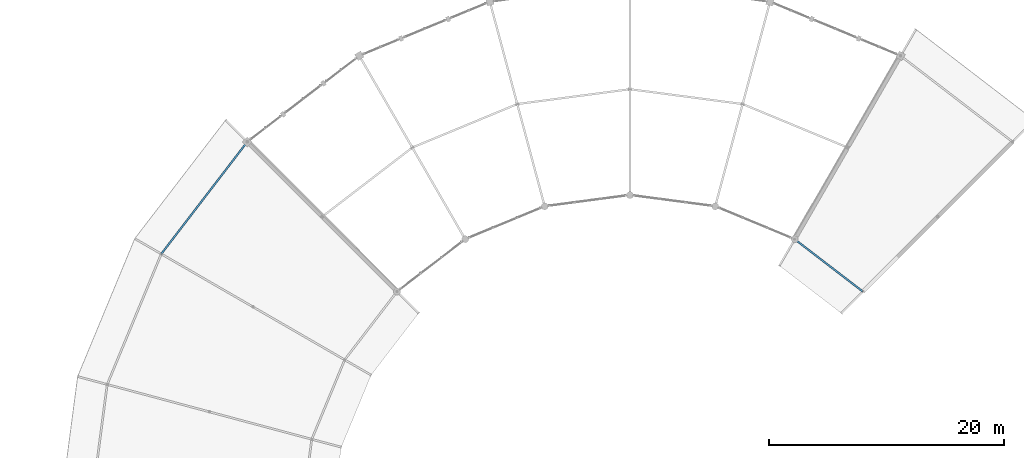
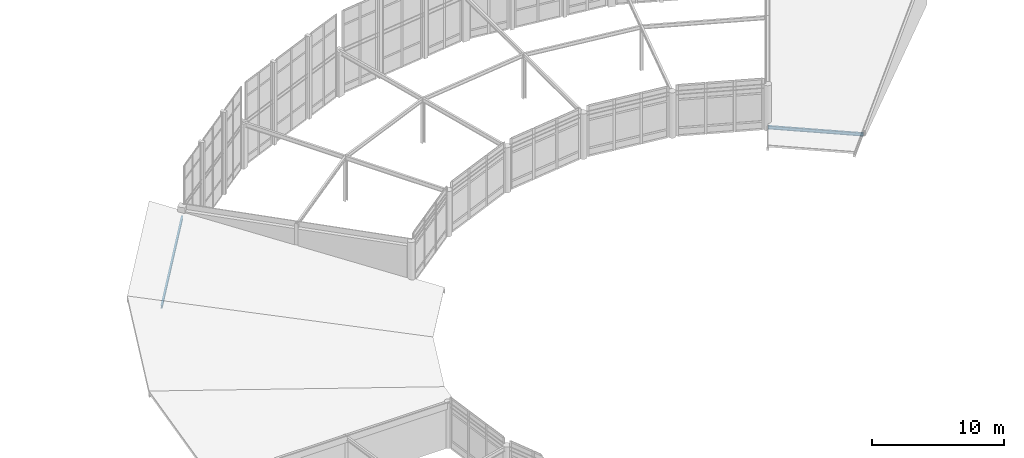
# One storey, part 40 of 93: 2 beams.
"""IFC4 building model written with IfcOpenShell, lengths in metres."""

from ifc_helpers import new_model, si_unit, direction, frame, origin, origin_2d, place, context, subcontext, project, spatial, i_section, extrude, material, material_profile, profile_set, type_object, element, save


model = new_model("IFC4")

# Units and contexts
model_context = context("Model", 3, precision=1e-05, world=origin(), true_north=direction((0.0, 1.0)))
body_context = subcontext(model_context, "Body", "Model", "MODEL_VIEW")
ifc_project = project(units=[si_unit("LENGTHUNIT", "METRE"), si_unit("AREAUNIT", "SQUARE_METRE"), si_unit("VOLUMEUNIT", "CUBIC_METRE"), si_unit("PLANEANGLEUNIT", "RADIAN"), si_unit("MASSUNIT", "GRAM", prefix="KILO")], contexts=[model_context])

# Site, building, storey
site_placement = place(None, origin())
site = spatial("IfcSite", under=ifc_project, at=site_placement, CompositionType="ELEMENT")
building_placement = place(site_placement, origin())
building = spatial("IfcBuilding", under=site, at=building_placement, Name="Vondelvale Polytechnic", CompositionType="ELEMENT")
storey_placement = place(building_placement, frame((0.0, 0.0, 18.0)))
storey = spatial("IfcBuildingStorey", under=building, at=storey_placement, Name="L04", CompositionType="ELEMENT", Elevation=18.0)

# Beams
ifc_material = material(Name="Steel 300PLUS (fy = 300 MPa)", Category="steel")
ifc_material_profile = material_profile(ifc_material, i_section(OverallWidth=0.14892578125, OverallDepth=0.298095703125, WebThickness=0.005615234375, FlangeThickness=0.008056640625, FilletRadius=0.011474609375, at=origin_2d()), Name="310UB32.0")
ifc_profile_set = profile_set([ifc_material_profile], Name="Steel 300PLUS (fy = 300 MPa)")
beam_type = type_object("IfcBeamType", Name="BM-UB310L", PredefinedType="BEAM", material=ifc_profile_set)
beam_1_placement = place(storey_placement, frame((121.799072265625, 91.799072265625, 0.16259765625), z_axis=(-0.793358469083, 0.608754744979, 0.0), x_axis=(-0.608754744979, -0.793358469083, 0.0)))
element("IfcBeam", 1, at=beam_1_placement, inside=storey, type_object=beam_type, Name="L04 RE B-25", PredefinedType="BEAM", context=body_context, shape_type="SweptSolid", body=[
    extrude(i_section(OverallWidth=0.14892578125, OverallDepth=0.298095703125, WebThickness=0.005615234375, FlangeThickness=0.008056640625, FilletRadius=0.011474609375, at=origin_2d()), origin(), (0.0, 0.0, 1.0), 7.3095703125),
])
beam_2_placement = place(storey_placement, frame((69.47314453125, 104.52685546875, 3.11083984375), z_axis=(-0.608766116008, -0.793349743808, 0.0), x_axis=(0.793349743808, -0.608766116008, 0.0)))
element("IfcBeam", 2, at=beam_2_placement, inside=storey, type_object=beam_type, Name="L04 RE B-25", PredefinedType="BEAM", context=body_context, shape_type="SweptSolid", body=[
    extrude(i_section(OverallWidth=0.14892578125, OverallDepth=0.298095703125, WebThickness=0.005615234375, FlangeThickness=0.008056640625, FilletRadius=0.011474609375, at=origin_2d()), origin(), (0.0, 0.0, 1.0), 12.00830078125),
])

save(model, "model.ifc")
